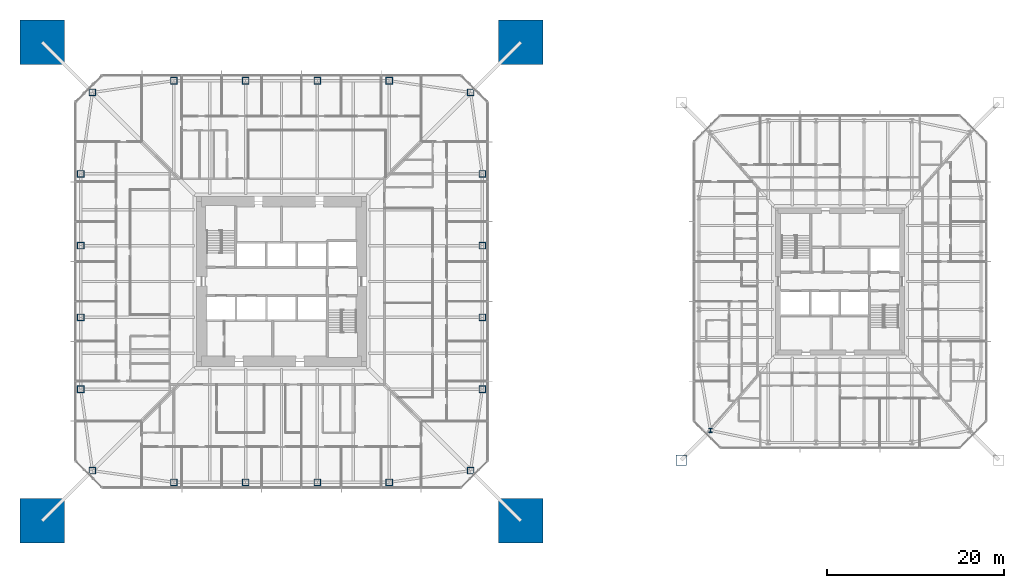
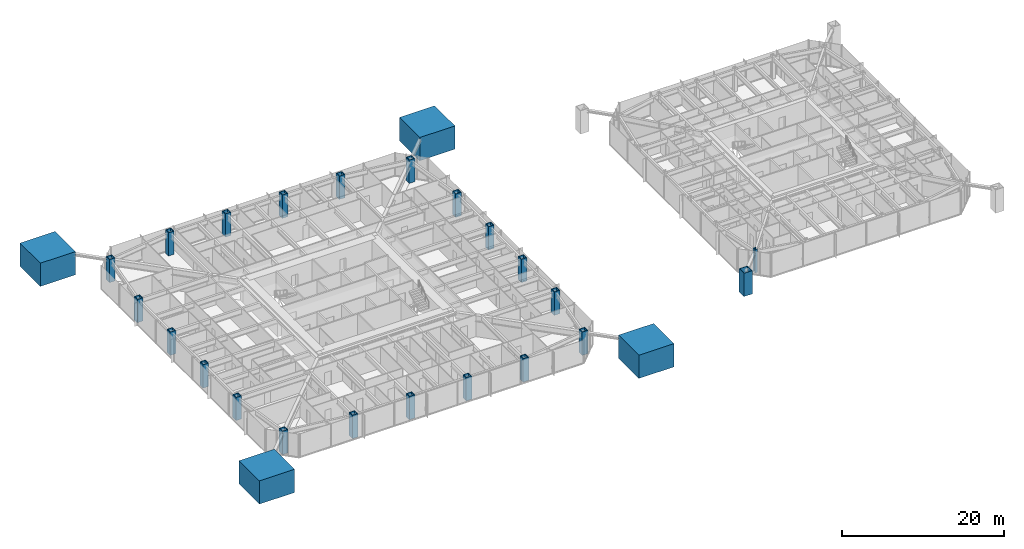
# One storey, part 1 of 26: 26 columns.
"""IFC4 building model written with IfcOpenShell, lengths in metres."""

from ifc_helpers import new_model, si_unit, direction, frame, origin, origin_2d, place, context, subcontext, project, spatial, rectangle, hollow_rectangle, i_section, extrude, material, material_profile, profile_set, type_object, element, save


model = new_model("IFC4")

# Units and contexts
model_context = context("Model", 3, precision=1e-05, world=origin(), true_north=direction((0.0, 1.0)))
body_context = subcontext(model_context, "Body", "Model", "MODEL_VIEW")
ifc_project = project(units=[si_unit("LENGTHUNIT", "METRE"), si_unit("AREAUNIT", "SQUARE_METRE"), si_unit("VOLUMEUNIT", "CUBIC_METRE"), si_unit("PLANEANGLEUNIT", "RADIAN"), si_unit("MASSUNIT", "GRAM", prefix="KILO")], contexts=[model_context])

# Site, building, storey
site_placement = place(None, origin())
site = spatial("IfcSite", under=ifc_project, at=site_placement, CompositionType="ELEMENT")
building_placement = place(site_placement, origin())
building = spatial("IfcBuilding", under=site, at=building_placement, Name="Iwan Alto Co-Living Towers", CompositionType="ELEMENT")
storey_placement = place(building_placement, frame((0.0, 0.0, 46.5)))
storey = spatial("IfcBuildingStorey", under=building, at=storey_placement, Name="L12", CompositionType="ELEMENT", Elevation=46.5)

# Columns
ifc_material_1 = material(Name="Concrete f'c 70 MPa", Category="concrete")
ifc_material_profile_1 = material_profile(ifc_material_1, rectangle(XDim=5.0, YDim=5.0, at=origin_2d()), Name="RC 5000X5000")
ifc_profile_set_1 = profile_set([ifc_material_profile_1], Name="Concrete f'c 70 MPa")
column_type_1 = type_object("IfcColumnType", Name="T1 MEGA COLUMN RC 5000X5000", PredefinedType="COLUMN", material=ifc_profile_set_1)
for number, where, z_axis, x_axis, name in (
    (1, (-27.0, -27.0, 0.0), (0.0, 0.0, 1.0), (1.0, 0.0, 0.0), "T1 mega column SW L12"),
    (2, (27.0, -27.0, 0.0), (0.0, 0.0, 1.0), (1.0, 0.0, 0.0), "T1 mega column SE L12"),
    (3, (27.0, 27.0, 0.0), (0.0, 0.0, 1.0), (1.0, 0.0, 0.0), "T1 mega column NE L12"),
    (4, (-27.0, 27.0, 0.0), (0.0, 0.0, 1.0), (1.0, 0.0, 0.0), "T1 mega column NW L12"),
):
    element("IfcColumn", number, at=place(storey_placement, frame(where, z_axis=z_axis, x_axis=x_axis)), inside=storey, type_object=column_type_1, Name=name, PredefinedType="COLUMN", context=body_context, shape_type="SweptSolid", body=[
        extrude(rectangle(XDim=5.0, YDim=5.0, at=origin_2d()), origin(), (0.0, 0.0, 1.0), 3.5),
        extrude(i_section(OverallWidth=0.4775390625, OverallDepth=0.599365234375, WebThickness=0.10009765625, FlangeThickness=0.139892578125, at=origin_2d()), origin(), (0.0, 0.0, 1.0), 3.5),
    ])
ifc_material_2 = material(Name="Steel ASTM A572 Gr 50", Category="steel")
ifc_material_profile_2 = material_profile(ifc_material_2, hollow_rectangle(XDim=0.800048828125, YDim=0.800048828125, WallThickness=0.090087890625, at=origin_2d()), Name="BOX 800X800X90")
ifc_profile_set_2 = profile_set([ifc_material_profile_2], Name="Steel ASTM A572 Gr 50")
column_type_2 = type_object("IfcColumnType", Name="T1 RING COLUMN BOX 800X800X90", PredefinedType="COLUMN", material=ifc_profile_set_2)
for number, where, z_axis, x_axis, name in (
    (5, (-21.32568359375, -21.32568359375, 0.0), (0.0, 0.0, 1.0), (1.0, 0.0, 0.0), "T1 ring column CSW L12"),
    (6, (-12.14990234375, -22.64990234375, 0.0), (0.0, 0.0, 1.0), (1.0, 0.0, 0.0), "T1 ring column S1 L12"),
    (7, (-4.050048828125, -22.64990234375, 0.0), (0.0, 0.0, 1.0), (1.0, 0.0, 0.0), "T1 ring column S2 L12"),
    (8, (4.050048828125, -22.64990234375, 0.0), (0.0, 0.0, 1.0), (1.0, 0.0, 0.0), "T1 ring column S3 L12"),
    (9, (12.14990234375, -22.64990234375, 0.0), (0.0, 0.0, 1.0), (1.0, 0.0, 0.0), "T1 ring column S4 L12"),
    (10, (21.32568359375, -21.32568359375, 0.0), (0.0, 0.0, 1.0), (1.0, 0.0, 0.0), "T1 ring column CSE L12"),
    (11, (22.64990234375, -12.14990234375, 0.0), (0.0, 0.0, 1.0), (1.0, 0.0, 0.0), "T1 ring column E1 L12"),
    (12, (22.64990234375, -4.050048828125, 0.0), (0.0, 0.0, 1.0), (1.0, 0.0, 0.0), "T1 ring column E2 L12"),
    (13, (22.64990234375, 4.050048828125, 0.0), (0.0, 0.0, 1.0), (1.0, 0.0, 0.0), "T1 ring column E3 L12"),
    (14, (22.64990234375, 12.14990234375, 0.0), (0.0, 0.0, 1.0), (1.0, 0.0, 0.0), "T1 ring column E4 L12"),
    (15, (21.32568359375, 21.32568359375, 0.0), (0.0, 0.0, 1.0), (1.0, 0.0, 0.0), "T1 ring column CNE L12"),
    (16, (12.14990234375, 22.64990234375, 0.0), (0.0, 0.0, 1.0), (1.0, 0.0, 0.0), "T1 ring column N1 L12"),
    (17, (4.050048828125, 22.64990234375, 0.0), (0.0, 0.0, 1.0), (1.0, 0.0, 0.0), "T1 ring column N2 L12"),
    (18, (-4.050048828125, 22.64990234375, 0.0), (0.0, 0.0, 1.0), (1.0, 0.0, 0.0), "T1 ring column N3 L12"),
    (19, (-12.14990234375, 22.64990234375, 0.0), (0.0, 0.0, 1.0), (1.0, 0.0, 0.0), "T1 ring column N4 L12"),
    (20, (-21.32568359375, 21.32568359375, 0.0), (0.0, 0.0, 1.0), (1.0, 0.0, 0.0), "T1 ring column CNW L12"),
    (21, (-22.64990234375, 12.14990234375, 0.0), (0.0, 0.0, 1.0), (1.0, 0.0, 0.0), "T1 ring column W1 L12"),
    (22, (-22.64990234375, 4.050048828125, 0.0), (0.0, 0.0, 1.0), (1.0, 0.0, 0.0), "T1 ring column W2 L12"),
    (23, (-22.64990234375, -4.050048828125, 0.0), (0.0, 0.0, 1.0), (1.0, 0.0, 0.0), "T1 ring column W3 L12"),
    (24, (-22.64990234375, -12.14990234375, 0.0), (0.0, 0.0, 1.0), (1.0, 0.0, 0.0), "T1 ring column W4 L12"),
):
    element("IfcColumn", number, at=place(storey_placement, frame(where, z_axis=z_axis, x_axis=x_axis)), inside=storey, type_object=column_type_2, Name=name, PredefinedType="COLUMN", context=body_context, shape_type="SweptSolid", body=[
        extrude(hollow_rectangle(XDim=0.800048828125, YDim=0.800048828125, WallThickness=0.090087890625, at=origin_2d()), origin(), (0.0, 0.0, 1.0), 3.5),
    ])
ifc_material_3 = material(Name="Steel ASTM A572 Gr 50", Category="steel")
ifc_material_profile_3 = material_profile(ifc_material_3, hollow_rectangle(XDim=1.199951171875, YDim=1.199951171875, WallThickness=0.070068359375, at=origin_2d()), Name="BOX 1200X1200X70")
ifc_profile_set_3 = profile_set([ifc_material_profile_3], Name="Steel ASTM A572 Gr 50")
column_type_3 = type_object("IfcColumnType", Name="T2 MEGA COLUMN BOX 1200X1200X70", PredefinedType="COLUMN", material=ifc_profile_set_3)
column_1_placement = place(storey_placement, frame((45.10009765625, -20.14990234375, 0.0), z_axis=(0.0, 0.0, 1.0), x_axis=(1.0, 0.0, 0.0)))
element("IfcColumn", 25, at=column_1_placement, inside=storey, type_object=column_type_3, Name="T2 mega column SW L12", PredefinedType="COLUMN", context=body_context, shape_type="SweptSolid", body=[
    extrude(hollow_rectangle(XDim=1.199951171875, YDim=1.199951171875, WallThickness=0.070068359375, at=origin_2d()), origin(), (0.0, 0.0, 1.0), 3.5),
])
ifc_material_4 = material(Name="Steel ASTM A992 Gr 50", Category="steel")
ifc_material_profile_4 = material_profile(ifc_material_4, i_section(OverallWidth=0.424072265625, OverallDepth=0.47509765625, WebThickness=0.0478515625, FlangeThickness=0.0771484375, at=origin_2d()), Name="W14X426")
ifc_profile_set_4 = profile_set([ifc_material_profile_4], Name="Steel ASTM A992 Gr 50")
column_type_4 = type_object("IfcColumnType", Name="T2 RING COLUMN W14X426", PredefinedType="COLUMN", material=ifc_profile_set_4)
column_2_placement = place(storey_placement, frame((48.393798828125, -16.797119140625, 0.0), z_axis=(0.0, 0.0, 1.0), x_axis=(1.0, 0.0, 0.0)))
element("IfcColumn", 26, at=column_2_placement, inside=storey, type_object=column_type_4, Name="T2 ring column CSW L12", PredefinedType="COLUMN", context=body_context, shape_type="SweptSolid", body=[
    extrude(i_section(OverallWidth=0.424072265625, OverallDepth=0.47509765625, WebThickness=0.0478515625, FlangeThickness=0.0771484375, at=origin_2d()), origin(), (0.0, 0.0, 1.0), 3.5),
])

save(model, "model.ifc")
